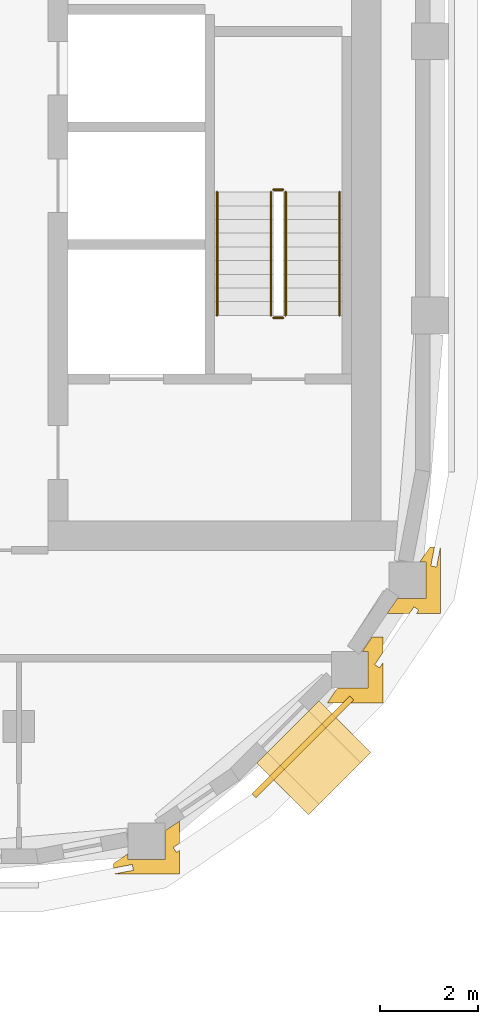
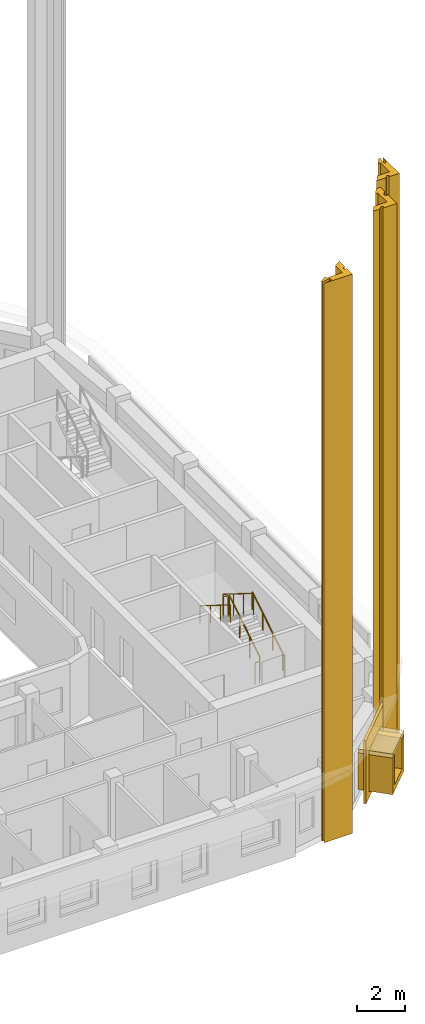
# One storey, part 12 of 15: 6 coverings, 6 railings.
"""IFC4 building model written with IfcOpenShell, lengths in metres."""

from ifc_helpers import new_model, si_unit, direction, frame, origin, origin_2d, place, context, subcontext, project, spatial, polyline, rectangle, circle, outline, extrude, material, layer, layer_set, type_object, element, save


model = new_model("IFC4")

# Units and contexts
model_context = context("Model", 3, precision=1e-05, world=origin(), true_north=direction((0.0, 1.0)))
body_context = subcontext(model_context, "Body", "Model", "MODEL_VIEW")
ifc_project = project(units=[si_unit("LENGTHUNIT", "METRE"), si_unit("AREAUNIT", "SQUARE_METRE"), si_unit("VOLUMEUNIT", "CUBIC_METRE"), si_unit("PLANEANGLEUNIT", "RADIAN"), si_unit("MASSUNIT", "GRAM", prefix="KILO")], contexts=[model_context])

# Site, building, storey
site_placement = place(None, origin())
site = spatial("IfcSite", under=ifc_project, at=site_placement, CompositionType="ELEMENT")
building_placement = place(site_placement, origin())
building = spatial("IfcBuilding", under=site, at=building_placement, Name="Kiln Ring Residences", CompositionType="ELEMENT")
storey_placement = place(building_placement, frame((0.0, 0.0, 266.199951171875)))
storey = spatial("IfcBuildingStorey", under=building, at=storey_placement, Name="L69", CompositionType="ELEMENT", Elevation=266.199951171875)

# Railings
ifc_material_1 = material(Name="Stainless steel", Category="steel")
railing_type_1 = type_object("IfcRailingType", Name="CORE-STAIR-GUARD", PredefinedType="GUARDRAIL", material=ifc_material_1)
railing_1_placement = place(storey_placement, frame((22.25, -8.39990234375, 0.175048828125)))
element("IfcRailing", 1, at=railing_1_placement, inside=storey, type_object=railing_type_1, Name="L69 E-STS stair guard 1", PredefinedType="GUARDRAIL", context=body_context, shape_type="SweptSolid", body=[
    extrude(circle(Radius=0.02392578125, at=origin_2d()), frame((0.0, 0.0, 1.076171875), z_axis=(0.0, 0.848007534815, 0.529984170421), x_axis=(-1.0, 0.0, 0.0)), (0.0, 0.0, 1.0), 2.9716796875),
    extrude(circle(Radius=0.02099609375, at=origin_2d()), origin(), (0.0, 0.0, 1.0), 1.052001953125),
    extrude(circle(Radius=0.02099609375, at=origin_2d()), frame((0.0, 0.840087890625, 0.52490234375)), (0.0, 0.0, 1.0), 1.052001953125),
    extrude(circle(Radius=0.02099609375, at=origin_2d()), frame((0.0, 1.679931640625, 1.050048828125)), (0.0, 0.0, 1.0), 1.052001953125),
    extrude(circle(Radius=0.02099609375, at=origin_2d()), frame((0.0, 2.52001953125, 1.574951171875)), (0.0, 0.0, 1.0), 1.052001953125),
])
railing_2_placement = place(storey_placement, frame((22.199951171875, -5.830078125, 1.75)))
element("IfcRailing", 2, at=railing_2_placement, inside=storey, type_object=railing_type_1, Name="L69 E-STS stair guard 2", PredefinedType="GUARDRAIL", context=body_context, shape_type="SweptSolid", body=[
    extrude(circle(Radius=0.02392578125, at=origin_2d()), frame((0.0, 0.0, 1.076171875), z_axis=(-1.0, 0.0, 0.0), x_axis=(0.0, -1.0, 0.0)), (0.0, 0.0, 1.0), 0.199951171875),
    extrude(circle(Radius=0.02099609375, at=origin_2d()), origin(), (0.0, 0.0, 1.0), 1.052001953125),
    extrude(circle(Radius=0.02099609375, at=origin_2d()), frame((-0.199951171875, 0.0, 0.0)), (0.0, 0.0, 1.0), 1.052001953125),
])
railing_3_placement = place(storey_placement, frame((21.949951171875, -5.8798828125, 1.925048828125)))
element("IfcRailing", 3, at=railing_3_placement, inside=storey, type_object=railing_type_1, Name="L69 E-STS stair guard 3", PredefinedType="GUARDRAIL", context=body_context, shape_type="SweptSolid", body=[
    extrude(circle(Radius=0.02392578125, at=origin_2d()), frame((0.0, 0.0, 1.076171875), z_axis=(0.0, -0.848007534815, 0.529984170421), x_axis=(1.0, 0.0, 0.0)), (0.0, 0.0, 1.0), 2.9716796875),
    extrude(circle(Radius=0.02099609375, at=origin_2d()), origin(), (0.0, 0.0, 1.0), 1.052001953125),
    extrude(circle(Radius=0.02099609375, at=origin_2d()), frame((0.0, -0.840087890625, 0.52490234375)), (0.0, 0.0, 1.0), 1.052001953125),
    extrude(circle(Radius=0.02099609375, at=origin_2d()), frame((0.0, -1.679931640625, 1.050048828125)), (0.0, 0.0, 1.0), 1.052001953125),
    extrude(circle(Radius=0.02099609375, at=origin_2d()), frame((0.0, -2.52001953125, 1.574951171875)), (0.0, 0.0, 1.0), 1.052001953125),
])
railing_4_placement = place(storey_placement, frame((22.199951171875, -8.449951171875, 0.0)))
element("IfcRailing", 4, at=railing_4_placement, inside=storey, type_object=railing_type_1, Name="L69 E-STS stair guard 4", PredefinedType="GUARDRAIL", context=body_context, shape_type="SweptSolid", body=[
    extrude(circle(Radius=0.02392578125, at=origin_2d()), frame((0.0, 0.0, 1.076171875), z_axis=(-1.0, 0.0, 0.0), x_axis=(0.0, -1.0, 0.0)), (0.0, 0.0, 1.0), 0.199951171875),
    extrude(circle(Radius=0.02099609375, at=origin_2d()), origin(), (0.0, 0.0, 1.0), 1.052001953125),
    extrude(circle(Radius=0.02099609375, at=origin_2d()), frame((-0.199951171875, 0.0, 0.0)), (0.0, 0.0, 1.0), 1.052001953125),
])
ifc_material_2 = material(Name="Stainless steel", Category="steel")
railing_type_2 = type_object("IfcRailingType", Name="CORE-STAIR-HANDRAIL", PredefinedType="HANDRAIL", material=ifc_material_2)
railing_5_placement = place(storey_placement, frame((23.35009765625, -8.39990234375, 0.175048828125)))
element("IfcRailing", 5, at=railing_5_placement, inside=storey, type_object=railing_type_2, Name="L69 E-STS stair handrail 1", PredefinedType="HANDRAIL", context=body_context, shape_type="SweptSolid", body=[
    extrude(circle(Radius=0.02392578125, at=origin_2d()), frame((0.0, 0.0, 0.8759765625), z_axis=(0.0, 0.848007534815, 0.529984170421), x_axis=(-1.0, 0.0, 0.0)), (0.0, 0.0, 1.0), 2.9716796875),
    extrude(circle(Radius=0.02099609375, at=origin_2d()), origin(), (0.0, 0.0, 1.0), 0.851806640625),
    extrude(circle(Radius=0.02099609375, at=origin_2d()), frame((0.0, 0.840087890625, 0.52490234375)), (0.0, 0.0, 1.0), 0.851806640625),
    extrude(circle(Radius=0.02099609375, at=origin_2d()), frame((0.0, 1.679931640625, 1.050048828125)), (0.0, 0.0, 1.0), 0.851806640625),
    extrude(circle(Radius=0.02099609375, at=origin_2d()), frame((0.0, 2.52001953125, 1.574951171875)), (0.0, 0.0, 1.0), 0.851806640625),
])
railing_6_placement = place(storey_placement, frame((20.85009765625, -5.8798828125, 1.925048828125)))
element("IfcRailing", 6, at=railing_6_placement, inside=storey, type_object=railing_type_2, Name="L69 E-STS stair handrail 2", PredefinedType="HANDRAIL", context=body_context, shape_type="SweptSolid", body=[
    extrude(circle(Radius=0.02392578125, at=origin_2d()), frame((0.0, 0.0, 0.8759765625), z_axis=(0.0, -0.848007534815, 0.529984170421), x_axis=(1.0, 0.0, 0.0)), (0.0, 0.0, 1.0), 2.9716796875),
    extrude(circle(Radius=0.02099609375, at=origin_2d()), origin(), (0.0, 0.0, 1.0), 0.851806640625),
    extrude(circle(Radius=0.02099609375, at=origin_2d()), frame((0.0, -0.840087890625, 0.52490234375)), (0.0, 0.0, 1.0), 0.851806640625),
    extrude(circle(Radius=0.02099609375, at=origin_2d()), frame((0.0, -1.679931640625, 1.050048828125)), (0.0, 0.0, 1.0), 0.851806640625),
    extrude(circle(Radius=0.02099609375, at=origin_2d()), frame((0.0, -2.52001953125, 1.574951171875)), (0.0, 0.0, 1.0), 0.851806640625),
])

# Coverings
ifc_material_3 = material(Name="Brick masonry, dark clay brick", Category="masonry")
ifc_layer_1 = layer(ifc_material_3, 0.300048828125)
ifc_layer_set_1 = layer_set([ifc_layer_1], Name="FRAME CHEEKS AND SILL 1500")
covering_type_1 = type_object("IfcCoveringType", Name="FRAME CHEEKS AND SILL 1500", PredefinedType="CLADDING", material=ifc_layer_set_1)
covering_1_placement = place(storey_placement, frame((22.189697265625, -18.07080078125, 0.300048828125), z_axis=(0.0, 0.0, 1.0), x_axis=(0.707174592913, 0.707038962956, 0.0)))
element("IfcCovering", 7, at=covering_1_placement, inside=storey, type_object=covering_type_1, Name="FRAME L69", PredefinedType="CLADDING", context=body_context, shape_type="SweptSolid", body=[
    extrude(outline(polyline([(0.0, 0.0), (1.800048828125, 0.0), (1.800048828125, 1.85009765625), (1.5009765625, 1.85009765625), (1.5, 0.300048828125), (0.300048828125, 0.300048828125), (0.299072265625, 1.85009765625), (0.0, 1.85009765625), (0.0, 0.0)])), frame((0.0, 0.75, 0.0), z_axis=(0.0, -1.0, 0.0), x_axis=(1.0, 0.0, 0.0)), (0.0, 0.0, 1.0), 1.5),
])
ifc_material_4 = material(Name="Brick masonry, dark clay brick", Category="masonry")
ifc_layer_2 = layer(ifc_material_4, 0.199951171875)
ifc_layer_set_2 = layer_set([ifc_layer_2], Name="FRAME HEAD 1500")
covering_type_2 = type_object("IfcCoveringType", Name="FRAME HEAD 1500", PredefinedType="CLADDING", material=ifc_layer_set_2)
covering_2_placement = place(storey_placement, frame((22.826171875, -17.4345703125, 2.14990234375), z_axis=(0.0, 0.0, 1.0), x_axis=(0.707106781187, 0.707106781187, 0.0)))
element("IfcCovering", 8, at=covering_2_placement, inside=storey, type_object=covering_type_2, Name="FRAME HEAD L69", PredefinedType="CLADDING", context=body_context, shape_type="SweptSolid", body=[
    extrude(rectangle(XDim=1.800048828125, YDim=1.5, at=origin_2d()), origin(), (0.0, 0.0, 1.0), 0.199951171875),
])
ifc_material_5 = material(Name="Brick masonry, dark clay brick", Category="masonry")
ifc_layer_3 = layer(ifc_material_5, 0.300048828125)
ifc_layer_set_3 = layer_set([ifc_layer_3], Name="PIER CLADDING 300")
covering_type_3 = type_object("IfcCoveringType", Name="PIER CLADDING 300", PredefinedType="CLADDING", material=ifc_layer_set_3)
placement = place(storey_placement, origin())
element("IfcCovering", 9, at=placement, inside=storey, type_object=covering_type_3, Name="PIER CLADDING L69-L75", PredefinedType="CLADDING", context=body_context, shape_type="SweptSolid", body=[
    extrude(outline(polyline([(19.03369140625, -19.39306640625), (18.733642578125, -19.5966796875), (18.733642578125, -19.689208984375), (19.117919921875, -19.615966796875), (19.140380859375, -19.733642578125), (18.733642578125, -19.811279296875), (18.733642578125, -19.81298828125), (20.083740234375, -19.81298828125), (20.083740234375, -19.325927734375), (20.01953125, -19.36962890625), (19.9521484375, -19.2705078125), (20.083740234375, -19.18115234375), (20.083740234375, -18.727294921875), (19.78369140625, -18.931396484375), (19.78369140625, -19.51318359375), (19.03369140625, -19.51318359375), (19.03369140625, -19.39306640625)])), origin(), (0.0, 0.0, 1.0), 28.300048828125),
])
element("IfcCovering", 10, at=placement, inside=storey, type_object=covering_type_3, Name="PIER CLADDING L69-L75", PredefinedType="CLADDING", context=body_context, shape_type="SweptSolid", body=[
    extrude(outline(polyline([(24.23486328125, -15.28759765625), (24.23486328125, -14.965087890625), (24.0185546875, -14.965087890625), (23.814697265625, -15.26513671875), (23.934814453125, -15.26513671875), (23.934814453125, -16.01513671875), (23.304931640625, -16.01513671875), (23.10107421875, -16.315185546875), (23.415283203125, -16.315185546875), (23.559814453125, -16.170654296875), (23.64453125, -16.25537109375), (23.584716796875, -16.315185546875), (24.23486328125, -16.315185546875), (24.23486328125, -15.500732421875), (24.16748046875, -15.599609375), (24.068359375, -15.5322265625), (24.23486328125, -15.28759765625)])), origin(), (0.0, 0.0, 1.0), 28.300048828125),
])
element("IfcCovering", 11, at=placement, inside=storey, type_object=covering_type_3, Name="PIER CLADDING L69-L75", PredefinedType="CLADDING", context=body_context, shape_type="SweptSolid", body=[
    extrude(outline(polyline([(25.4130859375, -14.483642578125), (25.4130859375, -13.1337890625), (25.411376953125, -13.1337890625), (25.333740234375, -13.540283203125), (25.216064453125, -13.51806640625), (25.289306640625, -13.1337890625), (25.19677734375, -13.1337890625), (24.992919921875, -13.43359375), (25.113037109375, -13.43359375), (25.113037109375, -14.18359375), (24.53125, -14.18359375), (24.327392578125, -14.483642578125), (24.781005859375, -14.483642578125), (24.87060546875, -14.352294921875), (24.969482421875, -14.41943359375), (24.92578125, -14.483642578125), (25.4130859375, -14.483642578125)])), origin(), (0.0, 0.0, 1.0), 28.300048828125),
])
ifc_material_6 = material(Name="Brick masonry, dark clay brick", Category="masonry")
ifc_layer_4 = layer(ifc_material_6, 0.1201171875)
ifc_layer_set_4 = layer_set([ifc_layer_4], Name="RAINSCREEN PANEL 120")
covering_type_4 = type_object("IfcCoveringType", Name="RAINSCREEN PANEL 120", PredefinedType="CLADDING", material=ifc_layer_set_4)
covering_6_placement = place(storey_placement, frame((21.604736328125, -18.21044921875, 0.0), z_axis=(0.0, 0.0, 1.0), x_axis=(0.707106781187, 0.707106781187, 0.0)))
element("IfcCovering", 12, at=covering_6_placement, inside=storey, type_object=covering_type_4, Name="RAINSCREEN L69", PredefinedType="CLADDING", context=body_context, shape_type="SweptSolid", body=[
    extrude(outline(polyline([(0.0, 0.0), (2.824951171875, 0.0), (2.824951171875, 3.199951171875), (0.0, 3.199951171875), (0.0, 0.0)]), holes=[polyline([(0.492431640625, 2.3701171875), (0.492431640625, 0.280029296875), (2.33251953125, 0.280029296875), (2.33251953125, 2.3701171875), (0.492431640625, 2.3701171875)])]), frame((0.0, 0.06005859375, 0.0), z_axis=(0.0, -1.0, 0.0), x_axis=(1.0, 0.0, 0.0)), (0.0, 0.0, 1.0), 0.1201171875),
])

save(model, "model.ifc")
